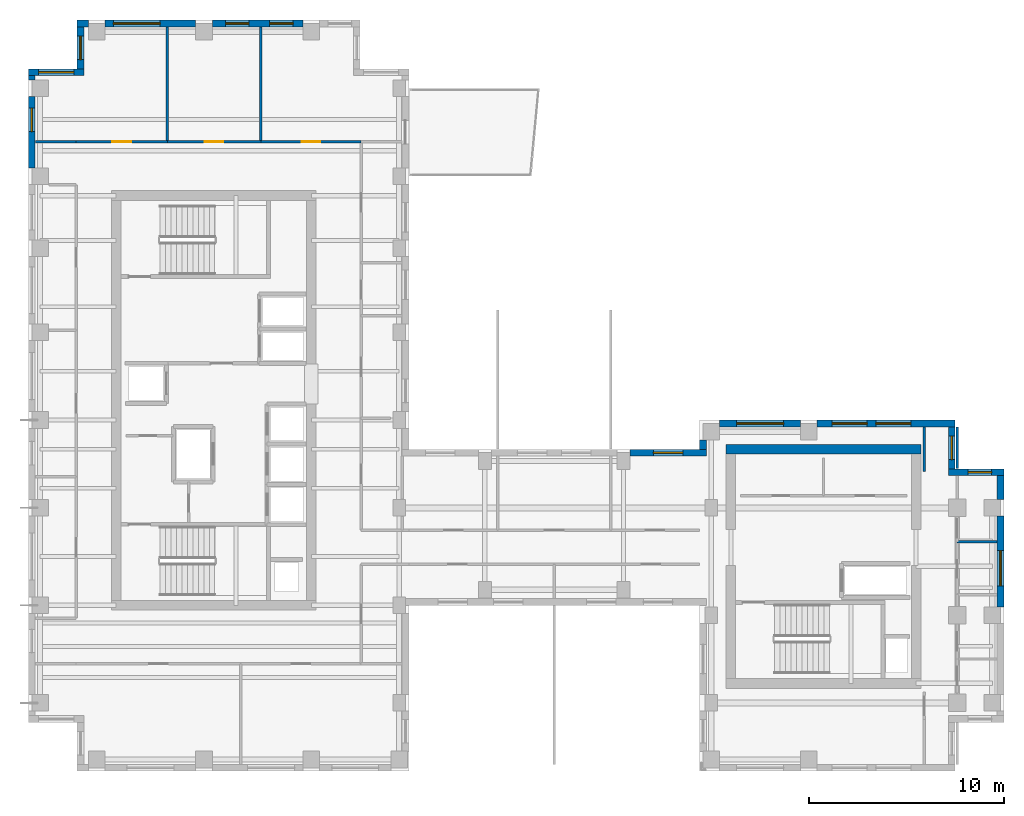
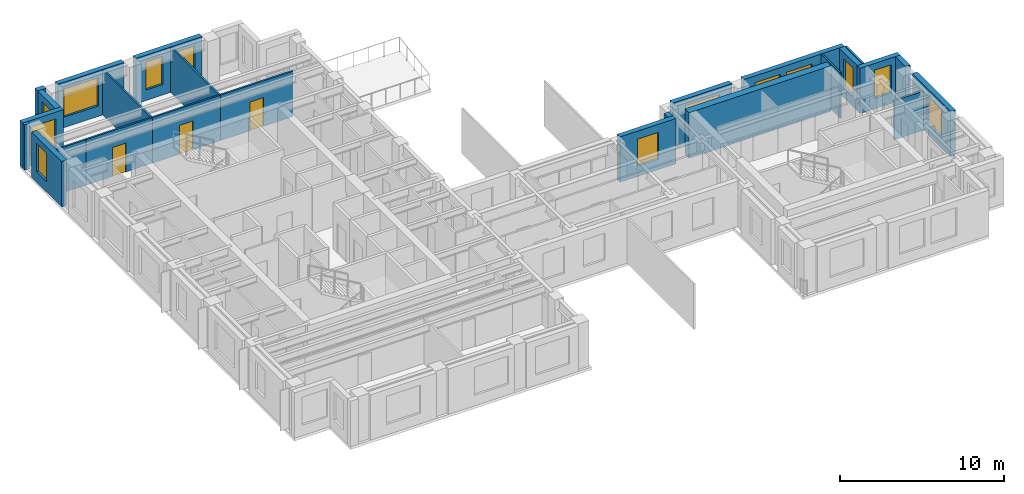
# One storey, part 7 of 10: 25 walls, 13 windows, 3 doors, 16 openings.
"""IFC4 building model written with IfcOpenShell, lengths in metres."""

from ifc_helpers import new_model, si_unit, direction, frame, frame_2d, origin, place, context, subcontext, project, spatial, rectangle, extrude, source, transform, mapped, material, layer, layer_set, type_object, element, fill, save


model = new_model("IFC4")

# Units and contexts
model_context = context("Model", 3, precision=1e-05, world=origin(), true_north=direction((0.0, 1.0)))
body_context = subcontext(model_context, "Body", "Model", "MODEL_VIEW")
ifc_project = project(units=[si_unit("LENGTHUNIT", "METRE"), si_unit("AREAUNIT", "SQUARE_METRE"), si_unit("VOLUMEUNIT", "CUBIC_METRE"), si_unit("PLANEANGLEUNIT", "RADIAN"), si_unit("MASSUNIT", "GRAM", prefix="KILO")], contexts=[model_context])

# Site, building, storey
site_placement = place(None, origin())
site = spatial("IfcSite", under=ifc_project, at=site_placement, CompositionType="ELEMENT")
building_placement = place(site_placement, origin())
building = spatial("IfcBuilding", under=site, at=building_placement, Name="Kharzan Plaza Tower", CompositionType="ELEMENT")
storey_placement = place(building_placement, frame((0.0, 0.0, 237.60009765625)))
storey = spatial("IfcBuildingStorey", under=building, at=storey_placement, Name="L64", CompositionType="ELEMENT", Elevation=237.60009765625)

# Wall, openings, windows
ifc_material_1 = material(Name="Concrete C40/50", Category="concrete")
ifc_layer_1 = layer(ifc_material_1, 0.35009765625)
ifc_layer_set_1 = layer_set([ifc_layer_1], Name="Concrete C40/50")
wall_type_1 = type_object("IfcWallType", Name="WL-EXT-MAS-Z4", PredefinedType="SOLIDWALL", material=ifc_layer_set_1)
wall_1_placement = place(storey_placement, frame((14.076904296875, 38.324951171875, 0.0), z_axis=(0.0, 0.0, 1.0), x_axis=(-1.0, 0.0, 0.0)))
wall_1 = element("IfcWall", 1, at=wall_1_placement, inside=storey, type_object=wall_type_1, Name="L64 Masonry-Frame Exterior Wall 10", PredefinedType="SOLIDWALL", context=body_context, shape_type="SweptSolid", body=[
    extrude(rectangle(XDim=4.65380859375, YDim=0.35009765625, at=frame_2d((2.326904296875, 0.0))), origin(), (0.0, 0.0, 1.0), 3.385009765625),
])
opening_1_placement = place(wall_1_placement, frame((0.515380859375, 0.0, 0.780029296875)))
opening_1 = element("IfcOpeningElement", 2, at=opening_1_placement, cuts=wall_1, Name="Opening W3", PredefinedType="OPENING", context=body_context, shape_type="SweptSolid", body=[
    extrude(rectangle(XDim=1.199951171875, YDim=2.10009765625, at=frame_2d((0.60009765625, 1.050048828125))), frame((0.0, 0.18505859375, 0.0), z_axis=(0.0, -1.0, 0.0), x_axis=(1.0, 0.0, 0.0)), (0.0, 0.0, 1.0), 0.3701171875),
])
opening_2_placement = place(wall_1_placement, frame((2.7724609375, 0.0, 0.780029296875)))
opening_2 = element("IfcOpeningElement", 3, at=opening_2_placement, cuts=wall_1, Name="Opening W3", PredefinedType="OPENING", context=body_context, shape_type="SweptSolid", body=[
    extrude(rectangle(XDim=1.199951171875, YDim=2.10009765625, at=frame_2d((0.60009765625, 1.050048828125))), frame((0.0, 0.18505859375, 0.0), z_axis=(0.0, -1.0, 0.0), x_axis=(1.0, 0.0, 0.0)), (0.0, 0.0, 1.0), 0.3701171875),
])
ifc_material_2 = material(Name="Low-E Double Glazing", Category="glass")
window_type_1 = type_object("IfcWindowType", Name="WN-REC-1200x2100", PartitioningType="SINGLE_PANEL", PredefinedType="WINDOW", material=ifc_material_2)
shared_shape_1 = source(origin(), body_context, "Body", "SweptSolid", [
    extrude(rectangle(XDim=1.199951171875, YDim=2.10009765625, at=frame_2d((0.60009765625, 1.050048828125))), frame((0.0, 0.030029296875, 0.0), z_axis=(0.0, -1.0, 0.0), x_axis=(1.0, 0.0, 0.0)), (0.0, 0.0, 1.0), 0.06005859375),
])
window_1_placement = place(opening_1_placement, origin())
window_1 = element("IfcWindow", 4, at=window_1_placement, inside=storey, type_object=window_type_1, Name="L64 Recessed Solar-Control Window 10-1", OverallHeight=2.10009765625, OverallWidth=1.199951171875, PartitioningType="SINGLE_PANEL", PredefinedType="WINDOW", context=body_context, shape_type="MappedRepresentation", body=[
    mapped(shared_shape_1, transform((0.0, 0.0, 0.0), x_axis=(1.0, 0.0, 0.0), y_axis=(0.0, 1.0, 0.0), z_axis=(0.0, 0.0, 1.0))),
])
fill(opening_1, window_1)
window_2_placement = place(opening_2_placement, origin())
window_2 = element("IfcWindow", 5, at=window_2_placement, inside=storey, type_object=window_type_1, Name="L64 Recessed Solar-Control Window 10-2", OverallHeight=2.10009765625, OverallWidth=1.199951171875, PartitioningType="SINGLE_PANEL", PredefinedType="WINDOW", context=body_context, shape_type="MappedRepresentation", body=[
    mapped(shared_shape_1, transform((0.0, 0.0, 0.0), x_axis=(1.0, 0.0, 0.0), y_axis=(0.0, 1.0, 0.0), z_axis=(0.0, 0.0, 1.0))),
])
fill(opening_2, window_2)

# Wall, opening, window
wall_2_placement = place(storey_placement, frame((8.576904296875, 38.324951171875, 0.0), z_axis=(0.0, 0.0, 1.0), x_axis=(-1.0, 0.0, 0.0)))
wall_2 = element("IfcWall", 6, at=wall_2_placement, inside=storey, type_object=wall_type_1, Name="L64 Masonry-Frame Exterior Wall 11", PredefinedType="SOLIDWALL", context=body_context, shape_type="SweptSolid", body=[
    extrude(rectangle(XDim=4.65380859375, YDim=0.35009765625, at=frame_2d((2.326904296875, 0.0))), origin(), (0.0, 0.0, 1.0), 3.385009765625),
])
opening_3_placement = place(wall_2_placement, frame((1.820068359375, 0.0, 0.780029296875)))
opening_3 = element("IfcOpeningElement", 7, at=opening_3_placement, cuts=wall_2, Name="Opening W2", PredefinedType="OPENING", context=body_context, shape_type="SweptSolid", body=[
    extrude(rectangle(XDim=2.39990234375, YDim=2.10009765625, at=frame_2d((1.199951171875, 1.050048828125))), frame((0.0, 0.18505859375, 0.0), z_axis=(0.0, -1.0, 0.0), x_axis=(1.0, 0.0, 0.0)), (0.0, 0.0, 1.0), 0.3701171875),
])
window_type_2 = type_object("IfcWindowType", Name="WN-REC-2400x2100", PartitioningType="SINGLE_PANEL", PredefinedType="WINDOW", material=ifc_material_2)
shared_shape_2 = source(origin(), body_context, "Body", "SweptSolid", [
    extrude(rectangle(XDim=2.39990234375, YDim=2.10009765625, at=frame_2d((1.199951171875, 1.050048828125))), frame((0.0, 0.030029296875, 0.0), z_axis=(0.0, -1.0, 0.0), x_axis=(1.0, 0.0, 0.0)), (0.0, 0.0, 1.0), 0.06005859375),
])
window_3_placement = place(opening_3_placement, origin())
window_3 = element("IfcWindow", 8, at=window_3_placement, inside=storey, type_object=window_type_2, Name="L64 Wide Recessed Solar-Control Window 11-1", OverallHeight=2.10009765625, OverallWidth=2.39990234375, PartitioningType="SINGLE_PANEL", PredefinedType="WINDOW", context=body_context, shape_type="MappedRepresentation", body=[
    mapped(shared_shape_2, transform((0.0, 0.0, 0.0), x_axis=(1.0, 0.0, 0.0), y_axis=(0.0, 1.0, 0.0), z_axis=(0.0, 0.0, 1.0))),
])
fill(opening_3, window_3)

wall_3_placement = place(storey_placement, frame((2.675048828125, 38.152099609375, 0.0), z_axis=(0.0, 0.0, 1.0), x_axis=(0.0, -1.0, 0.0)))
wall_3 = element("IfcWall", 9, at=wall_3_placement, inside=storey, type_object=wall_type_1, Name="L64 Masonry-Frame Exterior Wall 13", PredefinedType="SOLIDWALL", context=body_context, shape_type="SweptSolid", body=[
    extrude(rectangle(XDim=2.154052734375, YDim=0.35009765625, at=frame_2d((1.0771484375, 0.0))), origin(), (0.0, 0.0, 1.0), 3.385009765625),
])
opening_4_placement = place(wall_3_placement, frame((0.47705078125, 0.0, 0.780029296875)))
opening_4 = element("IfcOpeningElement", 10, at=opening_4_placement, cuts=wall_3, Name="Opening W3", PredefinedType="OPENING", context=body_context, shape_type="SweptSolid", body=[
    extrude(rectangle(XDim=1.199951171875, YDim=2.10009765625, at=frame_2d((0.60009765625, 1.050048828125))), frame((0.0, 0.18505859375, 0.0), z_axis=(0.0, -1.0, 0.0), x_axis=(1.0, 0.0, 0.0)), (0.0, 0.0, 1.0), 0.3701171875),
])
window_4_placement = place(opening_4_placement, origin())
window_4 = element("IfcWindow", 11, at=window_4_placement, inside=storey, type_object=window_type_1, Name="L64 Recessed Solar-Control Window 13-1", OverallHeight=2.10009765625, OverallWidth=1.199951171875, PartitioningType="SINGLE_PANEL", PredefinedType="WINDOW", context=body_context, shape_type="MappedRepresentation", body=[
    mapped(shared_shape_1, transform((0.0, 0.0, 0.0), x_axis=(1.0, 0.0, 0.0), y_axis=(0.0, 1.0, 0.0), z_axis=(0.0, 0.0, 1.0))),
])
fill(opening_4, window_4)

wall_4_placement = place(storey_placement, frame((2.85009765625, 35.824951171875, 0.0), z_axis=(0.0, 0.0, 1.0), x_axis=(-1.0, 0.0, 0.0)))
wall_4 = element("IfcWall", 12, at=wall_4_placement, inside=storey, type_object=wall_type_1, Name="L64 Masonry-Frame Exterior Wall 14", PredefinedType="SOLIDWALL", context=body_context, shape_type="SweptSolid", body=[
    extrude(rectangle(XDim=2.85009765625, YDim=0.35009765625, at=frame_2d((1.425048828125, 0.0))), origin(), (0.0, 0.0, 1.0), 3.385009765625),
])
opening_5_placement = place(wall_4_placement, frame((0.52490234375, 0.0, 0.780029296875)))
opening_5 = element("IfcOpeningElement", 13, at=opening_5_placement, cuts=wall_4, Name="Opening W1", PredefinedType="OPENING", context=body_context, shape_type="SweptSolid", body=[
    extrude(rectangle(XDim=1.800048828125, YDim=2.10009765625, at=frame_2d((0.89990234375, 1.050048828125))), frame((0.0, 0.18505859375, 0.0), z_axis=(0.0, -1.0, 0.0), x_axis=(1.0, 0.0, 0.0)), (0.0, 0.0, 1.0), 0.3701171875),
])
window_type_3 = type_object("IfcWindowType", Name="WN-REC-1800x2100", PartitioningType="SINGLE_PANEL", PredefinedType="WINDOW", material=ifc_material_2)
shared_shape_3 = source(origin(), body_context, "Body", "SweptSolid", [
    extrude(rectangle(XDim=1.800048828125, YDim=2.10009765625, at=frame_2d((0.89990234375, 1.050048828125))), frame((0.0, 0.030029296875, 0.0), z_axis=(0.0, -1.0, 0.0), x_axis=(1.0, 0.0, 0.0)), (0.0, 0.0, 1.0), 0.06005859375),
])
window_5_placement = place(opening_5_placement, origin())
window_5 = element("IfcWindow", 14, at=window_5_placement, inside=storey, type_object=window_type_3, Name="L64 Recessed Solar-Control Window 14-1", OverallHeight=2.10009765625, OverallWidth=1.800048828125, PartitioningType="SINGLE_PANEL", PredefinedType="WINDOW", context=body_context, shape_type="MappedRepresentation", body=[
    mapped(shared_shape_3, transform((0.0, 0.0, 0.0), x_axis=(1.0, 0.0, 0.0), y_axis=(0.0, 1.0, 0.0), z_axis=(0.0, 0.0, 1.0))),
])
fill(opening_5, window_5)

wall_5_placement = place(storey_placement, frame((0.175048828125, 34.576904296875, 0.0), z_axis=(0.0, 0.0, 1.0), x_axis=(0.0, -1.0, 0.0)))
wall_5 = element("IfcWall", 15, at=wall_5_placement, inside=storey, type_object=wall_type_1, Name="L64 Masonry-Frame Exterior Wall 16", PredefinedType="SOLIDWALL", context=body_context, shape_type="SweptSolid", body=[
    extrude(rectangle(XDim=3.65380859375, YDim=0.35009765625, at=frame_2d((1.826904296875, 0.0))), origin(), (0.0, 0.0, 1.0), 3.385009765625),
])
opening_6_placement = place(wall_5_placement, frame((0.598388671875, 0.0, 0.780029296875)))
opening_6 = element("IfcOpeningElement", 16, at=opening_6_placement, cuts=wall_5, Name="Opening W3", PredefinedType="OPENING", context=body_context, shape_type="SweptSolid", body=[
    extrude(rectangle(XDim=1.199951171875, YDim=2.10009765625, at=frame_2d((0.60009765625, 1.050048828125))), frame((0.0, 0.18505859375, 0.0), z_axis=(0.0, -1.0, 0.0), x_axis=(1.0, 0.0, 0.0)), (0.0, 0.0, 1.0), 0.3701171875),
])
window_6_placement = place(opening_6_placement, origin())
window_6 = element("IfcWindow", 17, at=window_6_placement, inside=storey, type_object=window_type_1, Name="L64 Recessed Solar-Control Window 16-1", OverallHeight=2.10009765625, OverallWidth=1.199951171875, PartitioningType="SINGLE_PANEL", PredefinedType="WINDOW", context=body_context, shape_type="MappedRepresentation", body=[
    mapped(shared_shape_1, transform((0.0, 0.0, 0.0), x_axis=(1.0, 0.0, 0.0), y_axis=(0.0, 1.0, 0.0), z_axis=(0.0, 0.0, 1.0))),
])
fill(opening_6, window_6)

wall_6_placement = place(storey_placement, frame((49.824951171875, 8.423095703125, 0.0), z_axis=(0.0, 0.0, 1.0), x_axis=(0.0, 1.0, 0.0)))
wall_6 = element("IfcWall", 18, at=wall_6_placement, inside=storey, type_object=wall_type_1, Name="L64 Masonry-Frame Exterior Wall 41", PredefinedType="SOLIDWALL", context=body_context, shape_type="SweptSolid", body=[
    extrude(rectangle(XDim=4.65380859375, YDim=0.35009765625, at=frame_2d((2.326904296875, 0.0))), origin(), (0.0, 0.0, 1.0), 3.385009765625),
])
opening_7_placement = place(wall_6_placement, frame((1.076904296875, 0.0, 0.780029296875)))
opening_7 = element("IfcOpeningElement", 19, at=opening_7_placement, cuts=wall_6, Name="Opening W1", PredefinedType="OPENING", context=body_context, shape_type="SweptSolid", body=[
    extrude(rectangle(XDim=1.800048828125, YDim=2.10009765625, at=frame_2d((0.89990234375, 1.050048828125))), frame((0.0, 0.18505859375, 0.0), z_axis=(0.0, -1.0, 0.0), x_axis=(1.0, 0.0, 0.0)), (0.0, 0.0, 1.0), 0.3701171875),
])
window_7_placement = place(opening_7_placement, origin())
window_7 = element("IfcWindow", 20, at=window_7_placement, inside=storey, type_object=window_type_3, Name="L64 Recessed Solar-Control Window 41-1", OverallHeight=2.10009765625, OverallWidth=1.800048828125, PartitioningType="SINGLE_PANEL", PredefinedType="WINDOW", context=body_context, shape_type="MappedRepresentation", body=[
    mapped(shared_shape_3, transform((0.0, 0.0, 0.0), x_axis=(1.0, 0.0, 0.0), y_axis=(0.0, 1.0, 0.0), z_axis=(0.0, 0.0, 1.0))),
])
fill(opening_7, window_7)

wall_7_placement = place(storey_placement, frame((50.0, 15.324951171875, 0.0), z_axis=(0.0, 0.0, 1.0), x_axis=(-1.0, 0.0, 0.0)))
wall_7 = element("IfcWall", 21, at=wall_7_placement, inside=storey, type_object=wall_type_1, Name="L64 Masonry-Frame Exterior Wall 43", PredefinedType="SOLIDWALL", context=body_context, shape_type="SweptSolid", body=[
    extrude(rectangle(XDim=2.85009765625, YDim=0.35009765625, at=frame_2d((1.425048828125, 0.0))), origin(), (0.0, 0.0, 1.0), 3.385009765625),
])
opening_8_placement = place(wall_7_placement, frame((0.635009765625, 0.0, 0.780029296875)))
opening_8 = element("IfcOpeningElement", 22, at=opening_8_placement, cuts=wall_7, Name="Opening W3", PredefinedType="OPENING", context=body_context, shape_type="SweptSolid", body=[
    extrude(rectangle(XDim=1.199951171875, YDim=2.10009765625, at=frame_2d((0.60009765625, 1.050048828125))), frame((0.0, 0.18505859375, 0.0), z_axis=(0.0, -1.0, 0.0), x_axis=(1.0, 0.0, 0.0)), (0.0, 0.0, 1.0), 0.3701171875),
])
window_8_placement = place(opening_8_placement, origin())
window_8 = element("IfcWindow", 23, at=window_8_placement, inside=storey, type_object=window_type_1, Name="L64 Recessed Solar-Control Window 43-1", OverallHeight=2.10009765625, OverallWidth=1.199951171875, PartitioningType="SINGLE_PANEL", PredefinedType="WINDOW", context=body_context, shape_type="MappedRepresentation", body=[
    mapped(shared_shape_1, transform((0.0, 0.0, 0.0), x_axis=(1.0, 0.0, 0.0), y_axis=(0.0, 1.0, 0.0), z_axis=(0.0, 0.0, 1.0))),
])
fill(opening_8, window_8)

wall_8_placement = place(storey_placement, frame((47.324951171875, 15.498046875, 0.0), z_axis=(0.0, 0.0, 1.0), x_axis=(0.0, 1.0, 0.0)))
wall_8 = element("IfcWall", 24, at=wall_8_placement, inside=storey, type_object=wall_type_1, Name="L64 Masonry-Frame Exterior Wall 44", PredefinedType="SOLIDWALL", context=body_context, shape_type="SweptSolid", body=[
    extrude(rectangle(XDim=2.154052734375, YDim=0.35009765625, at=frame_2d((1.0771484375, 0.0))), origin(), (0.0, 0.0, 1.0), 3.385009765625),
])
opening_9_placement = place(wall_8_placement, frame((0.47705078125, 0.0, 0.780029296875)))
opening_9 = element("IfcOpeningElement", 25, at=opening_9_placement, cuts=wall_8, Name="Opening W3", PredefinedType="OPENING", context=body_context, shape_type="SweptSolid", body=[
    extrude(rectangle(XDim=1.199951171875, YDim=2.10009765625, at=frame_2d((0.60009765625, 1.050048828125))), frame((0.0, 0.18505859375, 0.0), z_axis=(0.0, -1.0, 0.0), x_axis=(1.0, 0.0, 0.0)), (0.0, 0.0, 1.0), 0.3701171875),
])
window_9_placement = place(opening_9_placement, origin())
window_9 = element("IfcWindow", 26, at=window_9_placement, inside=storey, type_object=window_type_1, Name="L64 Recessed Solar-Control Window 44-1", OverallHeight=2.10009765625, OverallWidth=1.199951171875, PartitioningType="SINGLE_PANEL", PredefinedType="WINDOW", context=body_context, shape_type="MappedRepresentation", body=[
    mapped(shared_shape_1, transform((0.0, 0.0, 0.0), x_axis=(1.0, 0.0, 0.0), y_axis=(0.0, 1.0, 0.0), z_axis=(0.0, 0.0, 1.0))),
])
fill(opening_9, window_9)

# Wall, openings, windows
wall_9_placement = place(storey_placement, frame((47.5, 17.824951171875, 0.0), z_axis=(0.0, 0.0, 1.0), x_axis=(-1.0, 0.0, 0.0)))
wall_9 = element("IfcWall", 27, at=wall_9_placement, inside=storey, type_object=wall_type_1, Name="L64 Masonry-Frame Exterior Wall 45", PredefinedType="SOLIDWALL", context=body_context, shape_type="SweptSolid", body=[
    extrude(rectangle(XDim=7.076904296875, YDim=0.35009765625, at=frame_2d((3.53857421875, 0.0))), origin(), (0.0, 0.0, 1.0), 3.385009765625),
])
opening_10_placement = place(wall_9_placement, frame((2.272216796875, 0.0, 0.780029296875)))
opening_10 = element("IfcOpeningElement", 28, at=opening_10_placement, cuts=wall_9, Name="Opening W1", PredefinedType="OPENING", context=body_context, shape_type="SweptSolid", body=[
    extrude(rectangle(XDim=1.800048828125, YDim=2.10009765625, at=frame_2d((0.89990234375, 1.050048828125))), frame((0.0, 0.18505859375, 0.0), z_axis=(0.0, -1.0, 0.0), x_axis=(1.0, 0.0, 0.0)), (0.0, 0.0, 1.0), 0.3701171875),
])
opening_11_placement = place(wall_9_placement, frame((4.5146484375, 0.0, 0.780029296875)))
opening_11 = element("IfcOpeningElement", 29, at=opening_11_placement, cuts=wall_9, Name="Opening W1", PredefinedType="OPENING", context=body_context, shape_type="SweptSolid", body=[
    extrude(rectangle(XDim=1.800048828125, YDim=2.10009765625, at=frame_2d((0.89990234375, 1.050048828125))), frame((0.0, 0.18505859375, 0.0), z_axis=(0.0, -1.0, 0.0), x_axis=(1.0, 0.0, 0.0)), (0.0, 0.0, 1.0), 0.3701171875),
])
window_10_placement = place(opening_10_placement, origin())
window_10 = element("IfcWindow", 30, at=window_10_placement, inside=storey, type_object=window_type_3, Name="L64 Recessed Solar-Control Window 45-1", OverallHeight=2.10009765625, OverallWidth=1.800048828125, PartitioningType="SINGLE_PANEL", PredefinedType="WINDOW", context=body_context, shape_type="MappedRepresentation", body=[
    mapped(shared_shape_3, transform((0.0, 0.0, 0.0), x_axis=(1.0, 0.0, 0.0), y_axis=(0.0, 1.0, 0.0), z_axis=(0.0, 0.0, 1.0))),
])
fill(opening_10, window_10)
window_11_placement = place(opening_11_placement, origin())
window_11 = element("IfcWindow", 31, at=window_11_placement, inside=storey, type_object=window_type_3, Name="L64 Recessed Solar-Control Window 45-2", OverallHeight=2.10009765625, OverallWidth=1.800048828125, PartitioningType="SINGLE_PANEL", PredefinedType="WINDOW", context=body_context, shape_type="MappedRepresentation", body=[
    mapped(shared_shape_3, transform((0.0, 0.0, 0.0), x_axis=(1.0, 0.0, 0.0), y_axis=(0.0, 1.0, 0.0), z_axis=(0.0, 0.0, 1.0))),
])
fill(opening_11, window_11)

# Wall, opening, window
wall_10_placement = place(storey_placement, frame((39.576904296875, 17.824951171875, 0.0), z_axis=(0.0, 0.0, 1.0), x_axis=(-1.0, 0.0, 0.0)))
wall_10 = element("IfcWall", 32, at=wall_10_placement, inside=storey, type_object=wall_type_1, Name="L64 Masonry-Frame Exterior Wall 46", PredefinedType="SOLIDWALL", context=body_context, shape_type="SweptSolid", body=[
    extrude(rectangle(XDim=4.15380859375, YDim=0.35009765625, at=frame_2d((2.076904296875, 0.0))), origin(), (0.0, 0.0, 1.0), 3.385009765625),
])
opening_12_placement = place(wall_10_placement, frame((0.876953125, 0.0, 0.780029296875)))
opening_12 = element("IfcOpeningElement", 33, at=opening_12_placement, cuts=wall_10, Name="Opening W2", PredefinedType="OPENING", context=body_context, shape_type="SweptSolid", body=[
    extrude(rectangle(XDim=2.39990234375, YDim=2.10009765625, at=frame_2d((1.199951171875, 1.050048828125))), frame((0.0, 0.18505859375, 0.0), z_axis=(0.0, -1.0, 0.0), x_axis=(1.0, 0.0, 0.0)), (0.0, 0.0, 1.0), 0.3701171875),
])
window_12_placement = place(opening_12_placement, origin())
window_12 = element("IfcWindow", 34, at=window_12_placement, inside=storey, type_object=window_type_2, Name="L64 Wide Recessed Solar-Control Window 46-1", OverallHeight=2.10009765625, OverallWidth=2.39990234375, PartitioningType="SINGLE_PANEL", PredefinedType="WINDOW", context=body_context, shape_type="MappedRepresentation", body=[
    mapped(shared_shape_2, transform((0.0, 0.0, 0.0), x_axis=(1.0, 0.0, 0.0), y_axis=(0.0, 1.0, 0.0), z_axis=(0.0, 0.0, 1.0))),
])
fill(opening_12, window_12)

wall_11_placement = place(storey_placement, frame((34.75, 16.324951171875, 0.0), z_axis=(0.0, 0.0, 1.0), x_axis=(-1.0, 0.0, 0.0)))
wall_11 = element("IfcWall", 35, at=wall_11_placement, inside=storey, type_object=wall_type_1, Name="L64 Masonry-Frame Exterior Wall 48", PredefinedType="SOLIDWALL", context=body_context, shape_type="SweptSolid", body=[
    extrude(rectangle(XDim=3.927001953125, YDim=0.35009765625, at=frame_2d((1.96337890625, 0.0))), origin(), (0.0, 0.0, 1.0), 3.385009765625),
])
opening_13_placement = place(wall_11_placement, frame((1.21337890625, 0.0, 0.780029296875)))
opening_13 = element("IfcOpeningElement", 36, at=opening_13_placement, cuts=wall_11, Name="Opening W5", PredefinedType="OPENING", context=body_context, shape_type="SweptSolid", body=[
    extrude(rectangle(XDim=1.5, YDim=2.0, at=frame_2d((0.75, 1.0))), frame((0.0, 0.18505859375, 0.0), z_axis=(0.0, -1.0, 0.0), x_axis=(1.0, 0.0, 0.0)), (0.0, 0.0, 1.0), 0.3701171875),
])
window_type_4 = type_object("IfcWindowType", Name="WN-SLT-1500x2000", PartitioningType="SINGLE_PANEL", PredefinedType="WINDOW", material=ifc_material_2)
shared_shape_4 = source(origin(), body_context, "Body", "SweptSolid", [
    extrude(rectangle(XDim=1.5, YDim=2.0, at=frame_2d((0.75, 1.0))), frame((0.0, 0.030029296875, 0.0), z_axis=(0.0, -1.0, 0.0), x_axis=(1.0, 0.0, 0.0)), (0.0, 0.0, 1.0), 0.06005859375),
])
window_13_placement = place(opening_13_placement, origin())
window_13 = element("IfcWindow", 37, at=window_13_placement, inside=storey, type_object=window_type_4, Name="L64 Recessed Solar-Control Window 48-1", OverallHeight=2.0, OverallWidth=1.5, PartitioningType="SINGLE_PANEL", PredefinedType="WINDOW", context=body_context, shape_type="MappedRepresentation", body=[
    mapped(shared_shape_4, transform((0.0, 0.0, 0.0), x_axis=(1.0, 0.0, 0.0), y_axis=(0.0, 1.0, 0.0), z_axis=(0.0, 0.0, 1.0))),
])
fill(opening_13, window_13)

# Wall, opening, door
ifc_material_3 = material(Name="Fire-Rated Gypsum Board Partition", Category="gypsum")
ifc_layer_2 = layer(ifc_material_3, 0.125)
ifc_layer_set_2 = layer_set([ifc_layer_2], Name="Fire-Rated Gypsum Board Partition")
wall_type_2 = type_object("IfcWallType", Name="WL-INT-PART-125", PredefinedType="PARTITIONING", material=ifc_layer_set_2)
wall_12_placement = place(storey_placement, frame((2.449951171875, 32.25, 0.0), z_axis=(0.0, 0.0, 1.0), x_axis=(1.0, 0.0, 0.0)))
wall_12 = element("IfcWall", 38, at=wall_12_placement, inside=storey, type_object=wall_type_2, Name="L64 Interior Partition SH-NN-1", PredefinedType="PARTITIONING", context=body_context, shape_type="SweptSolid", body=[
    extrude(rectangle(XDim=4.671142578125, YDim=0.125, at=frame_2d((2.33544921875, 0.0))), origin(), (0.0, 0.0, 1.0), 3.385009765625),
])
opening_14_placement = place(wall_12_placement, frame((1.860595703125, 0.0, 0.0)))
opening_14 = element("IfcOpeningElement", 39, at=opening_14_placement, cuts=wall_12, Name="Opening OD1", PredefinedType="OPENING", context=body_context, shape_type="SweptSolid", body=[
    extrude(rectangle(XDim=0.949951171875, YDim=2.14990234375, at=frame_2d((0.47509765625, 1.074951171875))), frame((0.0, 0.072509765625, 0.0), z_axis=(0.0, -1.0, 0.0), x_axis=(1.0, 0.0, 0.0)), (0.0, 0.0, 1.0), 0.14501953125),
])
ifc_material_4 = material(Name="Acoustic Solid-Core Stained Oak", Category="timber")
door_type = type_object("IfcDoorType", Name="DR-OFF-SINGLE", OperationType="NOTDEFINED", PredefinedType="DOOR", material=ifc_material_4)
shared_shape_5 = source(origin(), body_context, "Body", "SweptSolid", [
    extrude(rectangle(XDim=0.949951171875, YDim=2.14990234375, at=frame_2d((0.47509765625, 1.074951171875))), frame((0.0, 0.02490234375, 0.0), z_axis=(0.0, -1.0, 0.0), x_axis=(1.0, 0.0, 0.0)), (0.0, 0.0, 1.0), 0.050048828125),
])
door_1_placement = place(opening_14_placement, origin())
door_1 = element("IfcDoor", 40, at=door_1_placement, inside=storey, type_object=door_type, Name="L64 Systems Planning Office Door", OperationType="SINGLE_SWING_LEFT", OverallHeight=2.14990234375, OverallWidth=0.949951171875, PredefinedType="DOOR", context=body_context, shape_type="MappedRepresentation", body=[
    mapped(shared_shape_5, transform((0.0, 0.0, 0.0), x_axis=(1.0, 0.0, 0.0), y_axis=(0.0, 1.0, 0.0), z_axis=(0.0, 0.0, 1.0))),
])
fill(opening_14, door_1)

wall_13_placement = place(storey_placement, frame((7.12109375, 32.25, 0.0), z_axis=(0.0, 0.0, 1.0), x_axis=(1.0, 0.0, 0.0)))
wall_13 = element("IfcWall", 41, at=wall_13_placement, inside=storey, type_object=wall_type_2, Name="L64 Interior Partition SH-NN-2", PredefinedType="PARTITIONING", context=body_context, shape_type="SweptSolid", body=[
    extrude(rectangle(XDim=4.794921875, YDim=0.125, at=frame_2d((2.3974609375, 0.0))), origin(), (0.0, 0.0, 1.0), 3.385009765625),
])
opening_15_placement = place(wall_13_placement, frame((1.922607421875, 0.0, 0.0)))
opening_15 = element("IfcOpeningElement", 42, at=opening_15_placement, cuts=wall_13, Name="Opening OD1", PredefinedType="OPENING", context=body_context, shape_type="SweptSolid", body=[
    extrude(rectangle(XDim=0.949951171875, YDim=2.14990234375, at=frame_2d((0.47509765625, 1.074951171875))), frame((0.0, 0.072509765625, 0.0), z_axis=(0.0, -1.0, 0.0), x_axis=(1.0, 0.0, 0.0)), (0.0, 0.0, 1.0), 0.14501953125),
])
door_2_placement = place(opening_15_placement, origin())
door_2 = element("IfcDoor", 43, at=door_2_placement, inside=storey, type_object=door_type, Name="L64 Open Office Workspace Door", OperationType="SINGLE_SWING_RIGHT", OverallHeight=2.14990234375, OverallWidth=0.949951171875, PredefinedType="DOOR", context=body_context, shape_type="MappedRepresentation", body=[
    mapped(shared_shape_5, transform((0.0, 0.0, 0.0), x_axis=(1.0, 0.0, 0.0), y_axis=(0.0, 1.0, 0.0), z_axis=(0.0, 0.0, 1.0))),
])
fill(opening_15, door_2)

wall_14_placement = place(storey_placement, frame((11.916015625, 32.25, 0.0), z_axis=(0.0, 0.0, 1.0), x_axis=(1.0, 0.0, 0.0)))
wall_14 = element("IfcWall", 44, at=wall_14_placement, inside=storey, type_object=wall_type_2, Name="L64 Interior Partition SH-NN-3", PredefinedType="PARTITIONING", context=body_context, shape_type="SweptSolid", body=[
    extrude(rectangle(XDim=5.134033203125, YDim=0.125, at=frame_2d((2.56689453125, 0.0))), origin(), (0.0, 0.0, 1.0), 3.385009765625),
])
opening_16_placement = place(wall_14_placement, frame((2.092041015625, 0.0, 0.0)))
opening_16 = element("IfcOpeningElement", 45, at=opening_16_placement, cuts=wall_14, Name="Opening OD1", PredefinedType="OPENING", context=body_context, shape_type="SweptSolid", body=[
    extrude(rectangle(XDim=0.949951171875, YDim=2.14990234375, at=frame_2d((0.47509765625, 1.074951171875))), frame((0.0, 0.072509765625, 0.0), z_axis=(0.0, -1.0, 0.0), x_axis=(1.0, 0.0, 0.0)), (0.0, 0.0, 1.0), 0.14501953125),
])
door_3_placement = place(opening_16_placement, origin())
door_3 = element("IfcDoor", 46, at=door_3_placement, inside=storey, type_object=door_type, Name="L64 Open Office Workspace Door", OperationType="SINGLE_SWING_LEFT", OverallHeight=2.14990234375, OverallWidth=0.949951171875, PredefinedType="DOOR", context=body_context, shape_type="MappedRepresentation", body=[
    mapped(shared_shape_5, transform((0.0, 0.0, 0.0), x_axis=(1.0, 0.0, 0.0), y_axis=(0.0, 1.0, 0.0), z_axis=(0.0, 0.0, 1.0))),
])
fill(opening_16, door_3)

# Walls
shared_shape_6 = source(origin(), body_context, "Body", "SweptSolid", [
    extrude(rectangle(XDim=2.097900390625, YDim=0.125, at=frame_2d((1.048828125, 0.0))), origin(), (0.0, 0.0, 1.0), 3.385009765625),
])
wall_15_placement = place(storey_placement, frame((0.35205078125, 32.25, 0.0), z_axis=(0.0, 0.0, 1.0), x_axis=(1.0, 0.0, 0.0)))
element("IfcWall", 47, at=wall_15_placement, inside=storey, type_object=wall_type_2, Name="L64 Interior Partition SH-NNW0", PredefinedType="PARTITIONING", context=body_context, shape_type="MappedRepresentation", body=[
    mapped(shared_shape_6, transform((0.0, 0.0, 0.0), x_axis=(1.0, 0.0, 0.0), y_axis=(0.0, 1.0, 0.0), z_axis=(0.0, 0.0, 1.0))),
])
shared_shape_7 = source(origin(), body_context, "Body", "SweptSolid", [
    extrude(rectangle(XDim=2.2978515625, YDim=0.125, at=frame_2d((1.14892578125, 0.0))), origin(), (0.0, 0.0, 1.0), 3.385009765625),
])
wall_16_placement = place(storey_placement, frame((45.919921875, 15.35009765625, 0.0), z_axis=(0.0, 0.0, 1.0), x_axis=(0.0, 1.0, 0.0)))
element("IfcWall", 48, at=wall_16_placement, inside=storey, type_object=wall_type_2, Name="L64 Interior Partition SH-RBNE0", PredefinedType="PARTITIONING", context=body_context, shape_type="MappedRepresentation", body=[
    mapped(shared_shape_7, transform((0.0, 0.0, 0.0), x_axis=(1.0, 0.0, 0.0), y_axis=(0.0, 1.0, 0.0), z_axis=(0.0, 0.0, 1.0))),
])
shared_shape_8 = source(origin(), body_context, "Body", "SweptSolid", [
    extrude(rectangle(XDim=0.576904296875, YDim=0.35009765625, at=frame_2d((0.28857421875, 0.0))), origin(), (0.0, 0.0, 1.0), 3.385009765625),
])
wall_17_placement = place(storey_placement, frame((3.076904296875, 38.324951171875, 0.0), z_axis=(0.0, 0.0, 1.0), x_axis=(-1.0, 0.0, 0.0)))
element("IfcWall", 49, at=wall_17_placement, inside=storey, type_object=wall_type_1, Name="L64 Masonry-Frame Exterior Wall 12", PredefinedType="SOLIDWALL", context=body_context, shape_type="MappedRepresentation", body=[
    mapped(shared_shape_8, transform((0.0, 0.0, 0.0), x_axis=(1.0, 0.0, 0.0), y_axis=(0.0, 1.0, 0.0), z_axis=(0.0, 0.0, 1.0))),
])
shared_shape_9 = source(origin(), body_context, "Body", "SweptSolid", [
    extrude(rectangle(XDim=0.22900390625, YDim=0.35009765625, at=frame_2d((0.114501953125, 0.0))), origin(), (0.0, 0.0, 1.0), 3.385009765625),
])
wall_18_placement = place(storey_placement, frame((0.175048828125, 35.652099609375, 0.0), z_axis=(0.0, 0.0, 1.0), x_axis=(0.0, -1.0, 0.0)))
element("IfcWall", 50, at=wall_18_placement, inside=storey, type_object=wall_type_1, Name="L64 Masonry-Frame Exterior Wall 15", PredefinedType="SOLIDWALL", context=body_context, shape_type="MappedRepresentation", body=[
    mapped(shared_shape_9, transform((0.0, 0.0, 0.0), x_axis=(1.0, 0.0, 0.0), y_axis=(0.0, 1.0, 0.0), z_axis=(0.0, 0.0, 1.0))),
])
shared_shape_10 = source(origin(), body_context, "Body", "SweptSolid", [
    extrude(rectangle(XDim=1.22900390625, YDim=0.35009765625, at=frame_2d((0.614501953125, 0.0))), origin(), (0.0, 0.0, 1.0), 3.385009765625),
])
wall_19_placement = place(storey_placement, frame((49.824951171875, 13.923095703125, 0.0), z_axis=(0.0, 0.0, 1.0), x_axis=(0.0, 1.0, 0.0)))
element("IfcWall", 51, at=wall_19_placement, inside=storey, type_object=wall_type_1, Name="L64 Masonry-Frame Exterior Wall 42", PredefinedType="SOLIDWALL", context=body_context, shape_type="MappedRepresentation", body=[
    mapped(shared_shape_10, transform((0.0, 0.0, 0.0), x_axis=(1.0, 0.0, 0.0), y_axis=(0.0, 1.0, 0.0), z_axis=(0.0, 0.0, 1.0))),
])
shared_shape_11 = source(origin(), body_context, "Body", "SweptSolid", [
    extrude(rectangle(XDim=2.14794921875, YDim=0.125, at=frame_2d((1.073974609375, 0.0))), origin(), (0.0, 0.0, 1.0), 3.385009765625),
])
wall_20_placement = place(storey_placement, frame((47.60009765625, 15.501953125, 0.0), z_axis=(0.0, 0.0, 1.0), x_axis=(0.0, 1.0, 0.0)))
element("IfcWall", 52, at=wall_20_placement, inside=storey, type_object=wall_type_2, Name="L64 Interior Partition SH-B3W2N", PredefinedType="PARTITIONING", context=body_context, shape_type="MappedRepresentation", body=[
    mapped(shared_shape_11, transform((0.0, 0.0, 0.0), x_axis=(1.0, 0.0, 0.0), y_axis=(0.0, 1.0, 0.0), z_axis=(0.0, 0.0, 1.0))),
])
ifc_material_5 = material(Name="Concrete C50/60", Category="concrete")
ifc_layer_3 = layer(ifc_material_5, 0.5)
ifc_layer_set_3 = layer_set([ifc_layer_3], Name="Concrete C50/60")
wall_type_3 = type_object("IfcWallType", Name="WL-CORE-500", PredefinedType="SHEAR", material=ifc_layer_set_3)
shared_shape_12 = source(origin(), body_context, "Body", "SweptSolid", [
    extrude(rectangle(XDim=10.0, YDim=0.5, at=frame_2d((5.0, 0.0))), origin(), (0.0, 0.0, 1.0), 3.39990234375),
])
wall_21_placement = place(storey_placement, frame((35.75, 16.5, 0.0), z_axis=(0.0, 0.0, 1.0), x_axis=(1.0, 0.0, 0.0)))
element("IfcWall", 53, at=wall_21_placement, inside=storey, type_object=wall_type_3, Name="L64 CORE-B north RC shear wall", PredefinedType="SHEAR", context=body_context, shape_type="MappedRepresentation", body=[
    mapped(shared_shape_12, transform((0.0, 0.0, 0.0), x_axis=(1.0, 0.0, 0.0), y_axis=(0.0, 1.0, 0.0), z_axis=(0.0, 0.0, 1.0))),
])
shared_shape_13 = source(origin(), body_context, "Body", "SweptSolid", [
    extrude(rectangle(XDim=2.0478515625, YDim=0.125, at=frame_2d((1.02392578125, 0.0))), origin(), (0.0, 0.0, 1.0), 2.916015625),
])
wall_22_placement = place(storey_placement, frame((47.60009765625, 11.75, 0.0), z_axis=(0.0, 0.0, 1.0), x_axis=(1.0, 0.0, 0.0)))
element("IfcWall", 54, at=wall_22_placement, inside=storey, type_object=wall_type_2, Name="L64 Interior Partition SH-B3H-117", PredefinedType="PARTITIONING", context=body_context, shape_type="MappedRepresentation", body=[
    mapped(shared_shape_13, transform((0.0, 0.0, 0.0), x_axis=(1.0, 0.0, 0.0), y_axis=(0.0, 1.0, 0.0), z_axis=(0.0, 0.0, 1.0))),
])
shared_shape_14 = source(origin(), body_context, "Body", "SweptSolid", [
    extrude(rectangle(XDim=5.89794921875, YDim=0.125, at=frame_2d((2.948974609375, 0.0))), origin(), (0.0, 0.0, 1.0), 3.385009765625),
])
for number, where, z_axis, x_axis, name in (
    (55, (7.12109375, 32.25, 0.0), (0.0, 0.0, 1.0), (0.0, 1.0, 0.0), "L64 Interior Partition SH-NV-1"),
    (56, (11.916015625, 32.25, 0.0), (0.0, 0.0, 1.0), (0.0, 1.0, 0.0), "L64 Interior Partition SH-NV-2"),
):
    element("IfcWall", number, at=place(storey_placement, frame(where, z_axis=z_axis, x_axis=x_axis)), inside=storey, type_object=wall_type_2, Name=name, PredefinedType="PARTITIONING", context=body_context, shape_type="MappedRepresentation", body=[
        mapped(shared_shape_14, transform((0.0, 0.0, 0.0), x_axis=(1.0, 0.0, 0.0), y_axis=(0.0, 1.0, 0.0), z_axis=(0.0, 0.0, 1.0))),
    ])
shared_shape_15 = source(origin(), body_context, "Body", "SweptSolid", [
    extrude(rectangle(XDim=0.47900390625, YDim=0.35009765625, at=frame_2d((0.239501953125, 0.0))), origin(), (0.0, 0.0, 1.0), 3.385009765625),
])
wall_23_placement = place(storey_placement, frame((34.574951171875, 16.97705078125, 0.0), z_axis=(0.0, 0.0, 1.0), x_axis=(0.0, -1.0, 0.0)))
element("IfcWall", 57, at=wall_23_placement, inside=storey, type_object=wall_type_1, Name="L64 Masonry-Frame Exterior Wall 47", PredefinedType="SOLIDWALL", context=body_context, shape_type="MappedRepresentation", body=[
    mapped(shared_shape_15, transform((0.0, 0.0, 0.0), x_axis=(1.0, 0.0, 0.0), y_axis=(0.0, 1.0, 0.0), z_axis=(0.0, 0.0, 1.0))),
])

save(model, "model.ifc")
